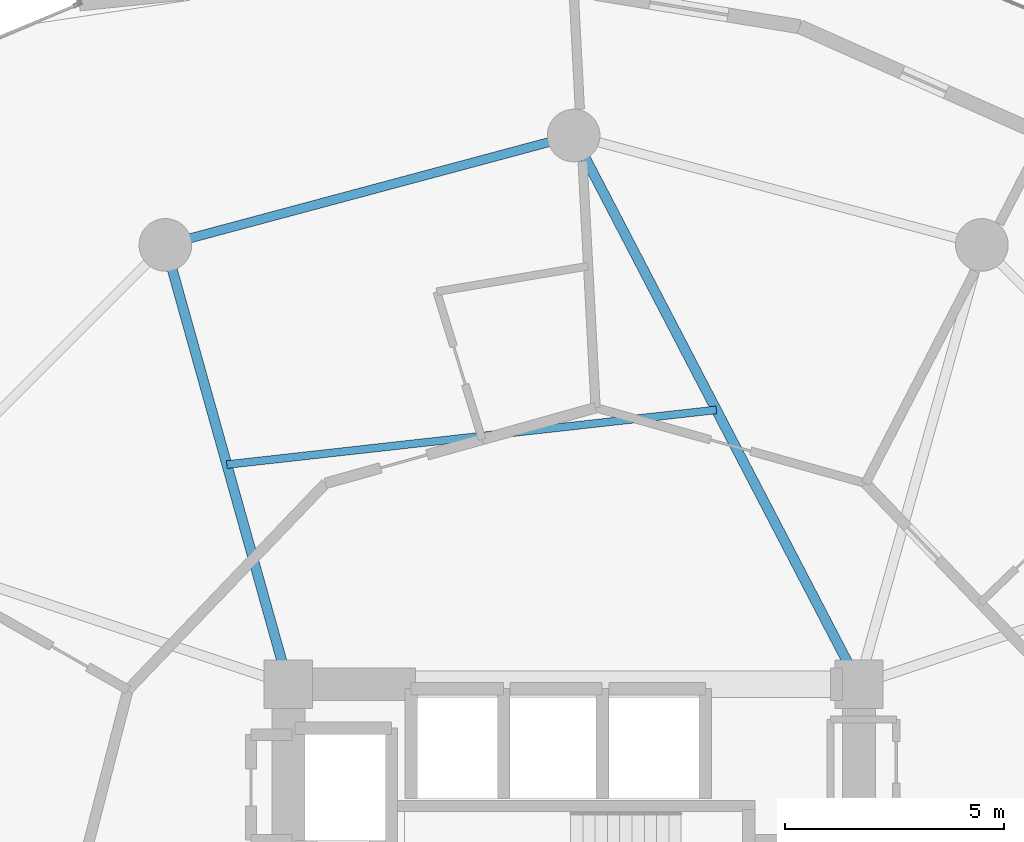
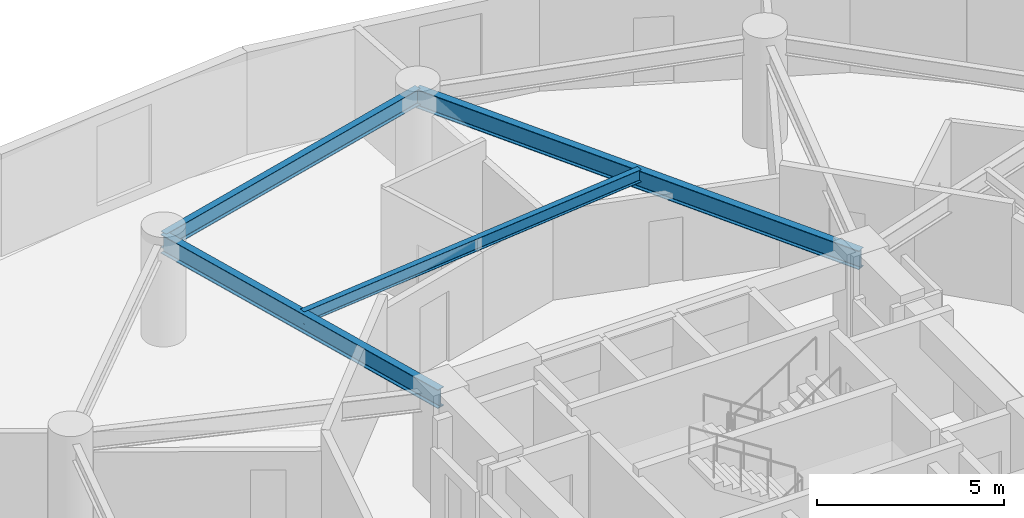
# One storey, part 15 of 26: 4 beams.
"""IFC4 building model written with IfcOpenShell, lengths in metres."""

from ifc_helpers import new_model, si_unit, direction, frame, origin, origin_2d, place, context, subcontext, project, spatial, i_section, extrude, material, material_profile, profile_set, type_object, element, save


model = new_model("IFC4")

# Units and contexts
model_context = context("Model", 3, precision=1e-05, world=origin(), true_north=direction((0.0, 1.0)))
body_context = subcontext(model_context, "Body", "Model", "MODEL_VIEW")
ifc_project = project(units=[si_unit("LENGTHUNIT", "METRE"), si_unit("AREAUNIT", "SQUARE_METRE"), si_unit("VOLUMEUNIT", "CUBIC_METRE"), si_unit("PLANEANGLEUNIT", "RADIAN"), si_unit("MASSUNIT", "GRAM", prefix="KILO")], contexts=[model_context])

# Site, building, storey
site_placement = place(None, origin())
site = spatial("IfcSite", under=ifc_project, at=site_placement, CompositionType="ELEMENT")
building_placement = place(site_placement, origin())
building = spatial("IfcBuilding", under=site, at=building_placement, Name="Solvirekh Grand Hotel", CompositionType="ELEMENT")
storey_placement = place(building_placement, frame((0.0, 0.0, 64.39990234375)))
storey = spatial("IfcBuildingStorey", under=building, at=storey_placement, Name="L15", CompositionType="ELEMENT", Elevation=64.39990234375)

# Beams
ifc_material = material(Name="Steel S355", Category="steel")
ifc_material_profile_1 = material_profile(ifc_material, i_section(OverallWidth=0.22802734375, OverallDepth=0.616943359375, WebThickness=0.012939453125, FlangeThickness=0.02001953125, FilletRadius=0.014892578125, at=origin_2d()), Name="W610X140")
ifc_profile_set_1 = profile_set([ifc_material_profile_1], Name="Steel S355")
beam_type_1 = type_object("IfcBeamType", Name="Beam_Radial_W610", PredefinedType="BEAM", material=ifc_profile_set_1)
beam_1_placement = place(storey_placement, frame((6.5, 6.10009765625, 3.031005859375), z_axis=(-0.461352736642, 0.887216801235, 0.0), x_axis=(-0.887216801235, -0.461352736642, 0.0)))
element("IfcBeam", 1, at=beam_1_placement, inside=storey, type_object=beam_type_1, Name="L15 radial floor beam R04", PredefinedType="BEAM", context=body_context, shape_type="SweptSolid", body=[
    extrude(i_section(OverallWidth=0.22802734375, OverallDepth=0.616943359375, WebThickness=0.012939453125, FlangeThickness=0.02001953125, FilletRadius=0.014892578125, at=origin_2d()), origin(), (0.0, 0.0, 1.0), 14.089111328125),
])
beam_2_placement = place(storey_placement, frame((-6.5, 6.10009765625, 3.031005859375), z_axis=(-0.269439084681, 0.963017434757, 0.0), x_axis=(-0.963017434757, -0.269439084681, 0.0)))
element("IfcBeam", 2, at=beam_2_placement, inside=storey, type_object=beam_type_1, Name="L15 radial floor beam R05", PredefinedType="BEAM", context=body_context, shape_type="SweptSolid", body=[
    extrude(i_section(OverallWidth=0.22802734375, OverallDepth=0.616943359375, WebThickness=0.012939453125, FlangeThickness=0.02001953125, FilletRadius=0.014892578125, at=origin_2d()), origin(), (0.0, 0.0, 1.0), 10.39208984375),
])
ifc_material_profile_2 = material_profile(ifc_material, i_section(OverallWidth=0.177978515625, OverallDepth=0.406982421875, WebThickness=0.008056640625, FlangeThickness=0.011962890625, FilletRadius=0.011962890625, at=origin_2d()), Name="W410X60")
ifc_profile_set_2 = profile_set([ifc_material_profile_2], Name="Steel S355")
beam_type_2 = type_object("IfcBeamType", Name="Joist_Floor_W410", PredefinedType="JOIST", material=ifc_profile_set_2)
beam_3_placement = place(storey_placement, frame((3.25, 12.35009765625, 3.135986328125), z_axis=(-0.99381294191, -0.111066810937, 0.0), x_axis=(0.111066810937, -0.99381294191, 0.0)))
element("IfcBeam", 3, at=beam_3_placement, inside=storey, type_object=beam_type_2, Name="L15 secondary composite floor joist 4", PredefinedType="JOIST", context=body_context, shape_type="SweptSolid", body=[
    extrude(i_section(OverallWidth=0.177978515625, OverallDepth=0.406982421875, WebThickness=0.008056640625, FlangeThickness=0.011962890625, FilletRadius=0.011962890625, at=origin_2d()), origin(), (0.0, 0.0, 1.0), 11.21923828125),
])
ifc_material_profile_3 = material_profile(ifc_material, i_section(OverallWidth=0.208984375, OverallDepth=0.532958984375, WebThickness=0.010009765625, FlangeThickness=0.014892578125, FilletRadius=0.013916015625, at=origin_2d()), Name="W530X92")
ifc_profile_set_3 = profile_set([ifc_material_profile_3], Name="Steel S355")
beam_type_3 = type_object("IfcBeamType", Name="Spandrel_Ring_W530", PredefinedType="SPANDREL", material=ifc_profile_set_3)
beam_4_placement = place(storey_placement, frame((0.0, 18.60009765625, 3.07421875), z_axis=(-0.965919414426, -0.258842973314, 0.0), x_axis=(0.258842973314, -0.965919414426, 0.0)))
element("IfcBeam", 4, at=beam_4_placement, inside=storey, type_object=beam_type_3, Name="L15 perimeter spandrel beam 4", PredefinedType="SPANDREL", context=body_context, shape_type="SweptSolid", body=[
    extrude(i_section(OverallWidth=0.208984375, OverallDepth=0.532958984375, WebThickness=0.010009765625, FlangeThickness=0.014892578125, FilletRadius=0.013916015625, at=origin_2d()), origin(), (0.0, 0.0, 1.0), 9.628173828125),
])

save(model, "model.ifc")
